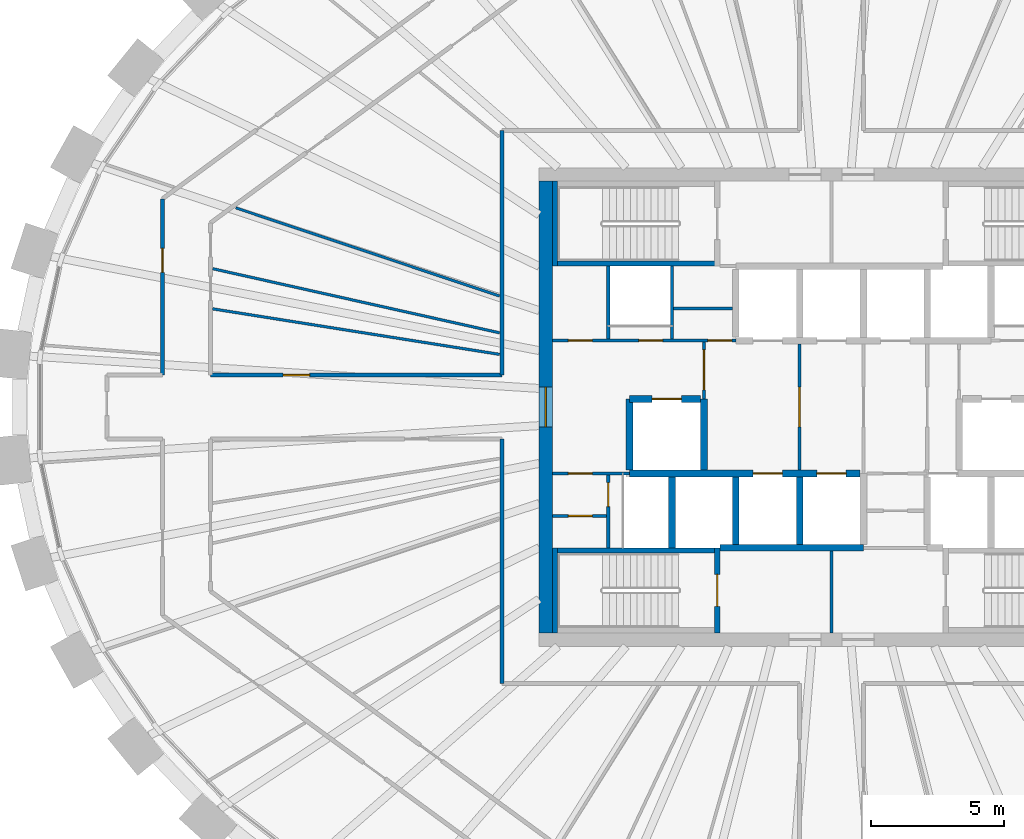
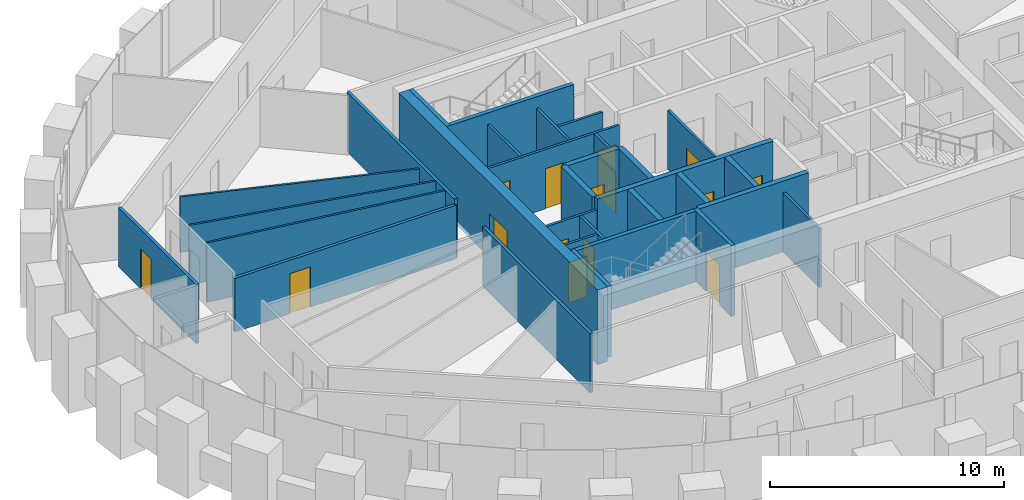
# One storey, part 7 of 12: 31 walls, 15 doors, 15 openings.
"""IFC4 building model written with IfcOpenShell, lengths in metres."""

from ifc_helpers import new_model, si_unit, direction, frame, frame_2d, origin, place, context, subcontext, project, spatial, rectangle, extrude, source, transform, mapped, material, layer, layer_set, type_object, element, fill, save


model = new_model("IFC4")

# Units and contexts
model_context = context("Model", 3, precision=1e-05, world=origin(), true_north=direction((0.0, 1.0)))
body_context = subcontext(model_context, "Body", "Model", "MODEL_VIEW")
ifc_project = project(units=[si_unit("LENGTHUNIT", "METRE"), si_unit("AREAUNIT", "SQUARE_METRE"), si_unit("VOLUMEUNIT", "CUBIC_METRE"), si_unit("PLANEANGLEUNIT", "RADIAN"), si_unit("MASSUNIT", "GRAM", prefix="KILO")], contexts=[model_context])

# Site, building, storey
site_placement = place(None, origin())
site = spatial("IfcSite", under=ifc_project, at=site_placement, CompositionType="ELEMENT")
building_placement = place(site_placement, origin())
building = spatial("IfcBuilding", under=site, at=building_placement, Name="Embergate Tower", CompositionType="ELEMENT")
storey_placement = place(building_placement, frame((0.0, 0.0, 293.5)))
storey = spatial("IfcBuildingStorey", under=building, at=storey_placement, Name="L68", CompositionType="ELEMENT", Elevation=293.5)

# Wall, opening, door
ifc_material_1 = material(Name="Concrete C50", Category="concrete")
ifc_layer_1 = layer(ifc_material_1, 0.5)
ifc_layer_set_1 = layer_set([ifc_layer_1], Name="Concrete C50")
wall_type_1 = type_object("IfcWallType", Name="Core outer wall C50 500", PredefinedType="SHEAR", material=ifc_layer_set_1)
shared_shape_1 = source(origin(), body_context, "Body", "SweptSolid", [
    extrude(rectangle(XDim=17.0, YDim=0.5, at=frame_2d((8.5, 0.0))), origin(), (0.0, 0.0, 1.0), 3.89990234375),
])
wall_1_placement = place(storey_placement, frame((-10.75, -8.5, -0.199951171875), z_axis=(0.0, 0.0, 1.0), x_axis=(0.0, 1.0, 0.0)))
wall_1 = element("IfcWall", 1, at=wall_1_placement, inside=storey, type_object=wall_type_1, Name="CW-L68-W", PredefinedType="SHEAR", context=body_context, shape_type="MappedRepresentation", body=[
    mapped(shared_shape_1, transform((0.0, 0.0, 0.0))),
])
shared_shape_2 = source(origin(), body_context, "Body", "SweptSolid", [
    extrude(rectangle(XDim=1.5, YDim=2.10009765625, at=frame_2d((0.75, 1.050048828125))), frame((0.0, 0.260009765625, 0.0), z_axis=(0.0, -1.0, 0.0), x_axis=(1.0, 0.0, 0.0)), (0.0, 0.0, 1.0), 0.52001953125),
])
opening_1_placement = place(wall_1_placement, frame((7.75, 0.0, 0.199951171875)))
opening_1 = element("IfcOpeningElement", 2, at=opening_1_placement, cuts=wall_1, Name="Opening IF-3", PredefinedType="OPENING", context=body_context, shape_type="MappedRepresentation", body=[
    mapped(shared_shape_2, transform((0.0, 0.0, 0.0))),
])
ifc_material_2 = material(Name="Lobby fire door pair 1500")
door_type_1 = type_object("IfcDoorType", Name="Lobby fire door pair 1500", OperationType="DOUBLE_DOOR_SINGLE_SWING", PredefinedType="DOOR", material=ifc_material_2)
shared_shape_3 = source(origin(), body_context, "Body", "SweptSolid", [
    extrude(rectangle(XDim=1.5, YDim=2.10009765625, at=frame_2d((0.75, 1.050048828125))), frame((0.0, 0.02490234375, 0.0), z_axis=(0.0, -1.0, 0.0), x_axis=(1.0, 0.0, 0.0)), (0.0, 0.0, 1.0), 0.050048828125),
])
door_1_placement = place(opening_1_placement, origin())
door_1 = element("IfcDoor", 3, at=door_1_placement, inside=storey, type_object=door_type_1, Name="IF-3 door", OperationType="DOUBLE_DOOR_SINGLE_SWING", OverallHeight=2.10009765625, OverallWidth=1.5, PredefinedType="DOOR", context=body_context, shape_type="MappedRepresentation", body=[
    mapped(shared_shape_3, transform((0.0, 0.0, 0.0))),
])
fill(opening_1, door_1)

# Walls
ifc_layer_2 = layer(ifc_material_1, 0.25)
ifc_layer_set_2 = layer_set([ifc_layer_2], Name="Concrete C50")
wall_type_2 = type_object("IfcWallType", Name="Hoistway wall reinforced concrete 250", PredefinedType="SHEAR", material=ifc_layer_set_2)
shared_shape_4 = source(origin(), body_context, "Body", "SweptSolid", [
    extrude(rectangle(XDim=2.675048828125, YDim=0.25, at=frame_2d((1.33740234375, 0.0))), origin(), (0.0, 0.0, 1.0), 3.699951171875),
])
for number, where, z_axis, x_axis, name in (
    (4, (-6.0, -5.300048828125, 0.0), (0.0, 0.0, 1.0), (0.0, 1.0, 0.0), "HW-1 wall"),
    (5, (-4.800048828125, 0.300048828125, 0.0), (0.0, 0.0, 1.0), (0.0, -1.0, 0.0), "HW-1 wall"),
):
    element("IfcWall", number, at=place(storey_placement, frame(where, z_axis=z_axis, x_axis=x_axis)), inside=storey, type_object=wall_type_2, Name=name, PredefinedType="SHEAR", context=body_context, shape_type="MappedRepresentation", body=[
        mapped(shared_shape_4, transform((0.0, 0.0, 0.0))),
    ])

# Wall, opening, door
wall_2_placement = place(storey_placement, frame((-4.925048828125, 0.300048828125, 0.0), z_axis=(0.0, 0.0, 1.0), x_axis=(-1.0, 0.0, 0.0)))
wall_2 = element("IfcWall", 6, at=wall_2_placement, inside=storey, type_object=wall_type_2, Name="HW-1 wall", PredefinedType="SHEAR", context=body_context, shape_type="MappedRepresentation", body=[
    mapped(shared_shape_4, transform((0.0, 0.0, 0.0))),
])
shared_shape_5 = source(origin(), body_context, "Body", "SweptSolid", [
    extrude(rectangle(XDim=1.10009765625, YDim=2.10009765625, at=frame_2d((0.550048828125, 1.050048828125))), frame((0.0, 0.135009765625, 0.0), z_axis=(0.0, -1.0, 0.0), x_axis=(1.0, 0.0, 0.0)), (0.0, 0.0, 1.0), 0.27001953125),
])
opening_2_placement = place(wall_2_placement, frame((0.72509765625, 0.0, 0.0)))
opening_2 = element("IfcOpeningElement", 7, at=opening_2_placement, cuts=wall_2, Name="Opening LD", PredefinedType="OPENING", context=body_context, shape_type="MappedRepresentation", body=[
    mapped(shared_shape_5, transform((0.0, 0.0, 0.0))),
])
ifc_material_3 = material(Name="Landing door sliding 1100")
door_type_2 = type_object("IfcDoorType", Name="Landing door sliding 1100", OperationType="SLIDING_TO_LEFT", PredefinedType="DOOR", material=ifc_material_3)
shared_shape_6 = source(origin(), body_context, "Body", "SweptSolid", [
    extrude(rectangle(XDim=1.10009765625, YDim=2.10009765625, at=frame_2d((0.550048828125, 1.050048828125))), frame((0.0, 0.02490234375, 0.0), z_axis=(0.0, -1.0, 0.0), x_axis=(1.0, 0.0, 0.0)), (0.0, 0.0, 1.0), 0.050048828125),
])
door_2_placement = place(opening_2_placement, origin())
door_2 = element("IfcDoor", 8, at=door_2_placement, inside=storey, type_object=door_type_2, Name="LD door", OperationType="SLIDING_TO_LEFT", OverallHeight=2.10009765625, OverallWidth=1.10009765625, PredefinedType="DOOR", context=body_context, shape_type="MappedRepresentation", body=[
    mapped(shared_shape_6, transform((0.0, 0.0, 0.0))),
])
fill(opening_2, door_2)

# Walls
wall_3_placement = place(storey_placement, frame((-7.60009765625, 0.300048828125, 0.0), z_axis=(0.0, 0.0, 1.0), x_axis=(0.0, -1.0, 0.0)))
element("IfcWall", 9, at=wall_3_placement, inside=storey, type_object=wall_type_2, Name="HW-1 wall", PredefinedType="SHEAR", context=body_context, shape_type="MappedRepresentation", body=[
    mapped(shared_shape_4, transform((0.0, 0.0, 0.0))),
])
ifc_layer_3 = layer(ifc_material_1, 0.199951171875)
ifc_layer_set_3 = layer_set([ifc_layer_3], Name="Concrete C50")
wall_type_3 = type_object("IfcWallType", Name="Stair enclosure wall reinforced concrete 250", PredefinedType="SHEAR", material=ifc_layer_set_3)
shared_shape_7 = source(origin(), body_context, "Body", "SweptSolid", [
    extrude(rectangle(XDim=6.300048828125, YDim=0.199951171875, at=frame_2d((3.14990234375, 0.0))), origin(), (0.0, 0.0, 1.0), 3.699951171875),
])
wall_4_placement = place(storey_placement, frame((-10.5, -5.39990234375, 0.0), z_axis=(0.0, 0.0, 1.0), x_axis=(1.0, 0.0, 0.0)))
element("IfcWall", 10, at=wall_4_placement, inside=storey, type_object=wall_type_3, Name="SE-1 wall", PredefinedType="SHEAR", context=body_context, shape_type="MappedRepresentation", body=[
    mapped(shared_shape_7, transform((0.0, 0.0, 0.0))),
])
ifc_material_4 = material(Name="Core partition blockwork 120")
ifc_layer_4 = layer(ifc_material_4, 0.1201171875)
ifc_layer_set_4 = layer_set([ifc_layer_4], Name="Core partition blockwork 120")
wall_type_4 = type_object("IfcWallType", Name="Core partition blockwork 120", PredefinedType="PARTITIONING", material=ifc_layer_set_4)
shared_shape_8 = source(origin(), body_context, "Body", "SweptSolid", [
    extrude(rectangle(XDim=2.739990234375, YDim=0.1201171875, at=frame_2d((1.3701171875, 0.0))), origin(), (0.0, 0.0, 1.0), 3.10009765625),
])
wall_5_placement = place(storey_placement, frame((-8.39990234375, 5.300048828125, 0.0), z_axis=(0.0, 0.0, 1.0), x_axis=(0.0, -1.0, 0.0)))
element("IfcWall", 11, at=wall_5_placement, inside=storey, type_object=wall_type_4, Name="IP-3 wall", PredefinedType="PARTITIONING", context=body_context, shape_type="MappedRepresentation", body=[
    mapped(shared_shape_8, transform((0.0, 0.0, 0.0))),
])

# Wall, opening, door
wall_6_placement = place(storey_placement, frame((-8.39990234375, -2.56005859375, 0.0), z_axis=(0.0, 0.0, 1.0), x_axis=(0.0, -1.0, 0.0)))
wall_6 = element("IfcWall", 12, at=wall_6_placement, inside=storey, type_object=wall_type_4, Name="IP-3 wall", PredefinedType="PARTITIONING", context=body_context, shape_type="MappedRepresentation", body=[
    mapped(shared_shape_8, transform((0.0, 0.0, 0.0))),
])
shared_shape_9 = source(origin(), body_context, "Body", "SweptSolid", [
    extrude(rectangle(XDim=0.89990234375, YDim=2.10009765625, at=frame_2d((0.449951171875, 1.050048828125))), frame((0.0, 0.070068359375, 0.0), z_axis=(0.0, -1.0, 0.0), x_axis=(1.0, 0.0, 0.0)), (0.0, 0.0, 1.0), 0.14013671875),
])
opening_3_placement = place(wall_6_placement, frame((0.2880859375, 0.0, 0.0)))
opening_3 = element("IfcOpeningElement", 13, at=opening_3_placement, cuts=wall_6, Name="Opening ID-1", PredefinedType="OPENING", context=body_context, shape_type="MappedRepresentation", body=[
    mapped(shared_shape_9, transform((0.0, 0.0, 0.0))),
])
ifc_material_5 = material(Name="Interior door 900")
door_type_3 = type_object("IfcDoorType", Name="Interior door 900", OperationType="SINGLE_SWING_LEFT", PredefinedType="DOOR", material=ifc_material_5)
shared_shape_10 = source(origin(), body_context, "Body", "SweptSolid", [
    extrude(rectangle(XDim=0.89990234375, YDim=2.10009765625, at=frame_2d((0.449951171875, 1.050048828125))), frame((0.0, 0.02490234375, 0.0), z_axis=(0.0, -1.0, 0.0), x_axis=(1.0, 0.0, 0.0)), (0.0, 0.0, 1.0), 0.050048828125),
])
door_3_placement = place(opening_3_placement, origin())
door_3 = element("IfcDoor", 14, at=door_3_placement, inside=storey, type_object=door_type_3, Name="ID-1 door", OperationType="SINGLE_SWING_RIGHT", OverallHeight=2.10009765625, OverallWidth=0.89990234375, PredefinedType="DOOR", context=body_context, shape_type="MappedRepresentation", body=[
    mapped(shared_shape_10, transform((0.0, 0.0, 0.0))),
])
fill(opening_3, door_3)

# Walls
shared_shape_11 = source(origin(), body_context, "Body", "SweptSolid", [
    extrude(rectangle(XDim=2.550048828125, YDim=0.25, at=frame_2d((1.27490234375, 0.0))), origin(), (0.0, 0.0, 1.0), 3.699951171875),
])
for number, where, z_axis, x_axis, name in (
    (15, (-3.60009765625, -5.175048828125, 0.0), (0.0, 0.0, 1.0), (0.0, 1.0, 0.0), "HW-1 wall"),
    (16, (-1.199951171875, -5.175048828125, 0.0), (0.0, 0.0, 1.0), (0.0, 1.0, 0.0), "HW-1 wall"),
):
    element("IfcWall", number, at=place(storey_placement, frame(where, z_axis=z_axis, x_axis=x_axis)), inside=storey, type_object=wall_type_2, Name=name, PredefinedType="SHEAR", context=body_context, shape_type="MappedRepresentation", body=[
        mapped(shared_shape_11, transform((0.0, 0.0, 0.0))),
    ])

# Wall, opening, door
shared_shape_12 = source(origin(), body_context, "Body", "SweptSolid", [
    extrude(rectangle(XDim=4.75, YDim=0.1201171875, at=frame_2d((2.375, 0.0))), origin(), (0.0, 0.0, 1.0), 3.10009765625),
])
wall_7_placement = place(storey_placement, frame((-1.199951171875, -2.375, 0.0), z_axis=(0.0, 0.0, 1.0), x_axis=(0.0, 1.0, 0.0)))
wall_7 = element("IfcWall", 17, at=wall_7_placement, inside=storey, type_object=wall_type_4, Name="IP-3 wall", PredefinedType="PARTITIONING", context=body_context, shape_type="MappedRepresentation", body=[
    mapped(shared_shape_12, transform((0.0, 0.0, 0.0))),
])
shared_shape_13 = source(origin(), body_context, "Body", "SweptSolid", [
    extrude(rectangle(XDim=1.5, YDim=2.10009765625, at=frame_2d((0.75, 1.050048828125))), frame((0.0, 0.070068359375, 0.0), z_axis=(0.0, -1.0, 0.0), x_axis=(1.0, 0.0, 0.0)), (0.0, 0.0, 1.0), 0.14013671875),
])
opening_4_placement = place(wall_7_placement, frame((1.625, 0.0, 0.0)))
opening_4 = element("IfcOpeningElement", 18, at=opening_4_placement, cuts=wall_7, Name="Opening IF-3", PredefinedType="OPENING", context=body_context, shape_type="MappedRepresentation", body=[
    mapped(shared_shape_13, transform((0.0, 0.0, 0.0))),
])
door_4_placement = place(opening_4_placement, origin())
door_4 = element("IfcDoor", 19, at=door_4_placement, inside=storey, type_object=door_type_1, Name="IF-3 door", OperationType="DOUBLE_DOOR_SINGLE_SWING", OverallHeight=2.10009765625, OverallWidth=1.5, PredefinedType="DOOR", context=body_context, shape_type="MappedRepresentation", body=[
    mapped(shared_shape_3, transform((0.0, 0.0, 0.0))),
])
fill(opening_4, door_4)

shared_shape_14 = source(origin(), body_context, "Body", "SweptSolid", [
    extrude(rectangle(XDim=3.199951171875, YDim=0.199951171875, at=frame_2d((1.60009765625, 0.0))), origin(), (0.0, 0.0, 1.0), 3.699951171875),
])
wall_8_placement = place(storey_placement, frame((-4.300048828125, -8.5, 0.0), z_axis=(0.0, 0.0, 1.0), x_axis=(0.0, 1.0, 0.0)))
wall_8 = element("IfcWall", 20, at=wall_8_placement, inside=storey, type_object=wall_type_3, Name="SE-1 wall", PredefinedType="SHEAR", context=body_context, shape_type="MappedRepresentation", body=[
    mapped(shared_shape_14, transform((0.0, 0.0, 0.0))),
])
shared_shape_15 = source(origin(), body_context, "Body", "SweptSolid", [
    extrude(rectangle(XDim=1.199951171875, YDim=2.10009765625, at=frame_2d((0.60009765625, 1.050048828125))), frame((0.0, 0.10986328125, 0.0), z_axis=(0.0, -1.0, 0.0), x_axis=(1.0, 0.0, 0.0)), (0.0, 0.0, 1.0), 0.219970703125),
])
opening_5_placement = place(wall_8_placement, frame((1.0, 0.0, 0.0)))
opening_5 = element("IfcOpeningElement", 21, at=opening_5_placement, cuts=wall_8, Name="Opening IF-2", PredefinedType="OPENING", context=body_context, shape_type="MappedRepresentation", body=[
    mapped(shared_shape_15, transform((0.0, 0.0, 0.0))),
])
ifc_material_6 = material(Name="Stair enclosure door 1200")
door_type_4 = type_object("IfcDoorType", Name="Stair enclosure door 1200", OperationType="SINGLE_SWING_LEFT", PredefinedType="DOOR", material=ifc_material_6)
shared_shape_16 = source(origin(), body_context, "Body", "SweptSolid", [
    extrude(rectangle(XDim=1.199951171875, YDim=2.10009765625, at=frame_2d((0.60009765625, 1.050048828125))), frame((0.0, 0.02490234375, 0.0), z_axis=(0.0, -1.0, 0.0), x_axis=(1.0, 0.0, 0.0)), (0.0, 0.0, 1.0), 0.050048828125),
])
door_5_placement = place(opening_5_placement, origin())
door_5 = element("IfcDoor", 22, at=door_5_placement, inside=storey, type_object=door_type_4, Name="IF-2 door", OperationType="SINGLE_SWING_RIGHT", OverallHeight=2.10009765625, OverallWidth=1.199951171875, PredefinedType="DOOR", context=body_context, shape_type="MappedRepresentation", body=[
    mapped(shared_shape_16, transform((0.0, 0.0, 0.0))),
])
fill(opening_5, door_5)

# Walls
shared_shape_17 = source(origin(), body_context, "Body", "SweptSolid", [
    extrude(rectangle(XDim=5.39990234375, YDim=0.25, at=frame_2d((2.699951171875, 0.0))), origin(), (0.0, 0.0, 1.0), 3.699951171875),
])
wall_9_placement = place(storey_placement, frame((-4.199951171875, -5.300048828125, 0.0), z_axis=(0.0, 0.0, 1.0), x_axis=(1.0, 0.0, 0.0)))
element("IfcWall", 23, at=wall_9_placement, inside=storey, type_object=wall_type_2, Name="HW-1 wall", PredefinedType="SHEAR", context=body_context, shape_type="MappedRepresentation", body=[
    mapped(shared_shape_17, transform((0.0, 0.0, 0.0))),
])
shared_shape_18 = source(origin(), body_context, "Body", "SweptSolid", [
    extrude(rectangle(XDim=6.298095703125, YDim=0.199951171875, at=frame_2d((3.14892578125, 0.0))), origin(), (0.0, 0.0, 1.0), 3.699951171875),
])
wall_10_placement = place(storey_placement, frame((-4.201904296875, 5.39990234375, 0.0), z_axis=(0.0, 0.0, 1.0), x_axis=(-1.0, 0.0, 0.0)))
element("IfcWall", 24, at=wall_10_placement, inside=storey, type_object=wall_type_3, Name="SE-1 wall", PredefinedType="SHEAR", context=body_context, shape_type="MappedRepresentation", body=[
    mapped(shared_shape_18, transform((0.0, 0.0, 0.0))),
])
shared_shape_19 = source(origin(), body_context, "Body", "SweptSolid", [
    extrude(rectangle(XDim=3.197998046875, YDim=0.199951171875, at=frame_2d((1.59912109375, 0.0))), origin(), (0.0, 0.0, 1.0), 3.699951171875),
])
for number, where, z_axis, x_axis, name in (
    (25, (-10.39990234375, 8.5, 0.0), (0.0, 0.0, 1.0), (0.0, -1.0, 0.0), "SE-1 wall"),
    (26, (-10.39990234375, -5.302001953125, 0.0), (0.0, 0.0, 1.0), (0.0, -1.0, 0.0), "SE-1 wall"),
):
    element("IfcWall", number, at=place(storey_placement, frame(where, z_axis=z_axis, x_axis=x_axis)), inside=storey, type_object=wall_type_3, Name=name, PredefinedType="SHEAR", context=body_context, shape_type="MappedRepresentation", body=[
        mapped(shared_shape_19, transform((0.0, 0.0, 0.0))),
    ])
ifc_material_7 = material(Name="Corridor wall dry-lined 150")
ifc_layer_5 = layer(ifc_material_7, 0.14990234375)
ifc_layer_set_5 = layer_set([ifc_layer_5], Name="Corridor wall dry-lined 150")
wall_type_5 = type_object("IfcWallType", Name="Corridor wall dry-lined 150", PredefinedType="PARTITIONING", material=ifc_layer_set_5)
shared_shape_20 = source(origin(), body_context, "Body", "SweptSolid", [
    extrude(rectangle(XDim=9.199951171875, YDim=0.14990234375, at=frame_2d((4.60009765625, 0.0))), origin(), (0.0, 0.0, 1.0), 3.10009765625),
])
for number, where, z_axis, x_axis, name in (
    (27, (-12.39990234375, -1.199951171875, 0.0), (0.0, 0.0, 1.0), (0.0, -1.0, 0.0), "IP-2 wall"),
    (28, (-12.39990234375, 10.39990234375, 0.0), (0.0, 0.0, 1.0), (0.0, -1.0, 0.0), "IP-2 wall"),
):
    element("IfcWall", number, at=place(storey_placement, frame(where, z_axis=z_axis, x_axis=x_axis)), inside=storey, type_object=wall_type_5, Name=name, PredefinedType="PARTITIONING", context=body_context, shape_type="MappedRepresentation", body=[
        mapped(shared_shape_20, transform((0.0, 0.0, 0.0))),
    ])
shared_shape_21 = source(origin(), body_context, "Body", "SweptSolid", [
    extrude(rectangle(XDim=2.738037109375, YDim=0.1201171875, at=frame_2d((1.369140625, 0.0))), origin(), (0.0, 0.0, 1.0), 3.10009765625),
])
wall_11_placement = place(storey_placement, frame((-6.0, 2.56005859375, 0.0), z_axis=(0.0, 0.0, 1.0), x_axis=(0.0, 1.0, 0.0)))
element("IfcWall", 29, at=wall_11_placement, inside=storey, type_object=wall_type_4, Name="IP-3 wall", PredefinedType="PARTITIONING", context=body_context, shape_type="MappedRepresentation", body=[
    mapped(shared_shape_21, transform((0.0, 0.0, 0.0))),
])

# Wall, opening, door
shared_shape_22 = source(origin(), body_context, "Body", "SweptSolid", [
    extrude(rectangle(XDim=2.89990234375, YDim=0.1201171875, at=frame_2d((1.449951171875, 0.0))), origin(), (0.0, 0.0, 1.0), 3.10009765625),
])
wall_12_placement = place(storey_placement, frame((-7.60009765625, -2.5, 0.0), z_axis=(0.0, 0.0, 1.0), x_axis=(-1.0, 0.0, 0.0)))
wall_12 = element("IfcWall", 30, at=wall_12_placement, inside=storey, type_object=wall_type_4, Name="IP-3 wall", PredefinedType="PARTITIONING", context=body_context, shape_type="MappedRepresentation", body=[
    mapped(shared_shape_22, transform((0.0, 0.0, 0.0))),
])
opening_6_placement = place(wall_12_placement, frame((1.39990234375, 0.0, 0.0)))
opening_6 = element("IfcOpeningElement", 31, at=opening_6_placement, cuts=wall_12, Name="Opening ID-1", PredefinedType="OPENING", context=body_context, shape_type="MappedRepresentation", body=[
    mapped(shared_shape_9, transform((0.0, 0.0, 0.0))),
])
door_6_placement = place(opening_6_placement, origin())
door_6 = element("IfcDoor", 32, at=door_6_placement, inside=storey, type_object=door_type_3, Name="ID-1 door", OperationType="SINGLE_SWING_LEFT", OverallHeight=2.10009765625, OverallWidth=0.89990234375, PredefinedType="DOOR", context=body_context, shape_type="MappedRepresentation", body=[
    mapped(shared_shape_10, transform((0.0, 0.0, 0.0))),
])
fill(opening_6, door_6)

shared_shape_23 = source(origin(), body_context, "Body", "SweptSolid", [
    extrude(rectangle(XDim=2.139892578125, YDim=0.1201171875, at=frame_2d((1.06982421875, 0.0))), origin(), (0.0, 0.0, 1.0), 3.10009765625),
])
wall_13_placement = place(storey_placement, frame((-4.800048828125, 2.43994140625, 0.0), z_axis=(0.0, 0.0, 1.0), x_axis=(0.0, -1.0, 0.0)))
wall_13 = element("IfcWall", 33, at=wall_13_placement, inside=storey, type_object=wall_type_4, Name="IP-3 wall", PredefinedType="PARTITIONING", context=body_context, shape_type="MappedRepresentation", body=[
    mapped(shared_shape_23, transform((0.0, 0.0, 0.0))),
])
opening_7_placement = place(wall_13_placement, frame((0.2900390625, 0.0, 0.0)))
opening_7 = element("IfcOpeningElement", 34, at=opening_7_placement, cuts=wall_13, Name="Opening IF-3", PredefinedType="OPENING", context=body_context, shape_type="MappedRepresentation", body=[
    mapped(shared_shape_13, transform((0.0, 0.0, 0.0))),
])
door_7_placement = place(opening_7_placement, origin())
door_7 = element("IfcDoor", 35, at=door_7_placement, inside=storey, type_object=door_type_1, Name="IF-3 door", OperationType="DOUBLE_DOOR_SINGLE_SWING", OverallHeight=2.10009765625, OverallWidth=1.5, PredefinedType="DOOR", context=body_context, shape_type="MappedRepresentation", body=[
    mapped(shared_shape_3, transform((0.0, 0.0, 0.0))),
])
fill(opening_7, door_7)

# Wall
shared_shape_24 = source(origin(), body_context, "Body", "SweptSolid", [
    extrude(rectangle(XDim=3.074951171875, YDim=0.1201171875, at=frame_2d((1.53759765625, 0.0))), origin(), (0.0, 0.0, 1.0), 3.10009765625),
])
wall_14_placement = place(storey_placement, frame((0.0, -8.5, 0.0), z_axis=(0.0, 0.0, 1.0), x_axis=(0.0, 1.0, 0.0)))
element("IfcWall", 36, at=wall_14_placement, inside=storey, type_object=wall_type_4, Name="IP-3 wall", PredefinedType="PARTITIONING", context=body_context, shape_type="MappedRepresentation", body=[
    mapped(shared_shape_24, transform((0.0, 0.0, 0.0))),
])

# Wall, openings, doors
shared_shape_25 = source(origin(), body_context, "Body", "SweptSolid", [
    extrude(rectangle(XDim=6.89990234375, YDim=0.1201171875, at=frame_2d((3.449951171875, 0.0))), origin(), (0.0, 0.0, 1.0), 3.10009765625),
])
wall_15_placement = place(storey_placement, frame((-10.5, 2.5, 0.0), z_axis=(0.0, 0.0, 1.0), x_axis=(1.0, 0.0, 0.0)))
wall_15 = element("IfcWall", 37, at=wall_15_placement, inside=storey, type_object=wall_type_4, Name="IP-3 wall", PredefinedType="PARTITIONING", context=body_context, shape_type="MappedRepresentation", body=[
    mapped(shared_shape_25, transform((0.0, 0.0, 0.0))),
])
opening_8_placement = place(wall_15_placement, frame((3.25, 0.0, 0.0)))
opening_8 = element("IfcOpeningElement", 38, at=opening_8_placement, cuts=wall_15, Name="Opening ID-1", PredefinedType="OPENING", context=body_context, shape_type="MappedRepresentation", body=[
    mapped(shared_shape_9, transform((0.0, 0.0, 0.0))),
])
opening_9_placement = place(wall_15_placement, frame((5.85009765625, 0.0, 0.0)))
opening_9 = element("IfcOpeningElement", 39, at=opening_9_placement, cuts=wall_15, Name="Opening ID-1", PredefinedType="OPENING", context=body_context, shape_type="MappedRepresentation", body=[
    mapped(shared_shape_9, transform((0.0, 0.0, 0.0))),
])
opening_10_placement = place(wall_15_placement, frame((0.60009765625, 0.0, 0.0)))
opening_10 = element("IfcOpeningElement", 40, at=opening_10_placement, cuts=wall_15, Name="Opening ID-1", PredefinedType="OPENING", context=body_context, shape_type="MappedRepresentation", body=[
    mapped(shared_shape_9, transform((0.0, 0.0, 0.0))),
])
door_8_placement = place(opening_8_placement, origin())
door_8 = element("IfcDoor", 41, at=door_8_placement, inside=storey, type_object=door_type_3, Name="ID-1 door", OperationType="SINGLE_SWING_LEFT", OverallHeight=2.10009765625, OverallWidth=0.89990234375, PredefinedType="DOOR", context=body_context, shape_type="MappedRepresentation", body=[
    mapped(shared_shape_10, transform((0.0, 0.0, 0.0))),
])
fill(opening_8, door_8)
door_9_placement = place(opening_9_placement, origin())
door_9 = element("IfcDoor", 42, at=door_9_placement, inside=storey, type_object=door_type_3, Name="ID-1 door", OperationType="SINGLE_SWING_RIGHT", OverallHeight=2.10009765625, OverallWidth=0.89990234375, PredefinedType="DOOR", context=body_context, shape_type="MappedRepresentation", body=[
    mapped(shared_shape_10, transform((0.0, 0.0, 0.0))),
])
fill(opening_9, door_9)
door_10_placement = place(opening_10_placement, origin())
door_10 = element("IfcDoor", 43, at=door_10_placement, inside=storey, type_object=door_type_3, Name="ID-1 door", OperationType="SINGLE_SWING_LEFT", OverallHeight=2.10009765625, OverallWidth=0.89990234375, PredefinedType="DOOR", context=body_context, shape_type="MappedRepresentation", body=[
    mapped(shared_shape_10, transform((0.0, 0.0, 0.0))),
])
fill(opening_10, door_10)

# Wall, opening, door
shared_shape_26 = source(origin(), body_context, "Body", "SweptSolid", [
    extrude(rectangle(XDim=2.0400390625, YDim=0.1201171875, at=frame_2d((1.02001953125, 0.0))), origin(), (0.0, 0.0, 1.0), 3.10009765625),
])
wall_16_placement = place(storey_placement, frame((-8.4599609375, -4.095947265625, 0.0), z_axis=(0.0, 0.0, 1.0), x_axis=(-1.0, 0.0, 0.0)))
wall_16 = element("IfcWall", 44, at=wall_16_placement, inside=storey, type_object=wall_type_4, Name="IP-3 wall", PredefinedType="PARTITIONING", context=body_context, shape_type="MappedRepresentation", body=[
    mapped(shared_shape_26, transform((0.0, 0.0, 0.0))),
])
opening_11_placement = place(wall_16_placement, frame((0.5400390625, 0.0, 0.0)))
opening_11 = element("IfcOpeningElement", 45, at=opening_11_placement, cuts=wall_16, Name="Opening ID-1", PredefinedType="OPENING", context=body_context, shape_type="MappedRepresentation", body=[
    mapped(shared_shape_9, transform((0.0, 0.0, 0.0))),
])
door_11_placement = place(opening_11_placement, origin())
door_11 = element("IfcDoor", 46, at=door_11_placement, inside=storey, type_object=door_type_3, Name="ID-1 door", OperationType="SINGLE_SWING_LEFT", OverallHeight=2.10009765625, OverallWidth=0.89990234375, PredefinedType="DOOR", context=body_context, shape_type="MappedRepresentation", body=[
    mapped(shared_shape_10, transform((0.0, 0.0, 0.0))),
])
fill(opening_11, door_11)

# Wall
shared_shape_27 = source(origin(), body_context, "Body", "SweptSolid", [
    extrude(rectangle(XDim=2.2109375, YDim=0.1201171875, at=frame_2d((1.10546875, 0.0))), origin(), (0.0, 0.0, 1.0), 3.10009765625),
])
wall_17_placement = place(storey_placement, frame((-3.72705078125, 3.7041015625, 0.0), z_axis=(0.0, 0.0, 1.0), x_axis=(-1.0, 0.0, 0.0)))
element("IfcWall", 47, at=wall_17_placement, inside=storey, type_object=wall_type_4, Name="IP-3 wall", PredefinedType="PARTITIONING", context=body_context, shape_type="MappedRepresentation", body=[
    mapped(shared_shape_27, transform((0.0, 0.0, 0.0))),
])

# Wall, openings, doors
shared_shape_28 = source(origin(), body_context, "Body", "SweptSolid", [
    extrude(rectangle(XDim=8.675048828125, YDim=0.25, at=frame_2d((4.33740234375, 0.0))), origin(), (0.0, 0.0, 1.0), 3.699951171875),
])
wall_18_placement = place(storey_placement, frame((1.074951171875, -2.5, 0.0), z_axis=(0.0, 0.0, 1.0), x_axis=(-1.0, 0.0, 0.0)))
wall_18 = element("IfcWall", 48, at=wall_18_placement, inside=storey, type_object=wall_type_2, Name="HW-1 wall", PredefinedType="SHEAR", context=body_context, shape_type="MappedRepresentation", body=[
    mapped(shared_shape_28, transform((0.0, 0.0, 0.0))),
])
opening_12_placement = place(wall_18_placement, frame((2.925048828125, 0.0, 0.0)))
opening_12 = element("IfcOpeningElement", 49, at=opening_12_placement, cuts=wall_18, Name="Opening LD", PredefinedType="OPENING", context=body_context, shape_type="MappedRepresentation", body=[
    mapped(shared_shape_5, transform((0.0, 0.0, 0.0))),
])
opening_13_placement = place(wall_18_placement, frame((0.52490234375, 0.0, 0.0)))
opening_13 = element("IfcOpeningElement", 50, at=opening_13_placement, cuts=wall_18, Name="Opening LD", PredefinedType="OPENING", context=body_context, shape_type="MappedRepresentation", body=[
    mapped(shared_shape_5, transform((0.0, 0.0, 0.0))),
])
door_12_placement = place(opening_12_placement, origin())
door_12 = element("IfcDoor", 51, at=door_12_placement, inside=storey, type_object=door_type_2, Name="LD door", OperationType="SLIDING_TO_LEFT", OverallHeight=2.10009765625, OverallWidth=1.10009765625, PredefinedType="DOOR", context=body_context, shape_type="MappedRepresentation", body=[
    mapped(shared_shape_6, transform((0.0, 0.0, 0.0))),
])
fill(opening_12, door_12)
door_13_placement = place(opening_13_placement, origin())
door_13 = element("IfcDoor", 52, at=door_13_placement, inside=storey, type_object=door_type_2, Name="LD door", OperationType="SLIDING_TO_RIGHT", OverallHeight=2.10009765625, OverallWidth=1.10009765625, PredefinedType="DOOR", context=body_context, shape_type="MappedRepresentation", body=[
    mapped(shared_shape_6, transform((0.0, 0.0, 0.0))),
])
fill(opening_13, door_13)

# Wall, opening, door
shared_shape_29 = source(origin(), body_context, "Body", "SweptSolid", [
    extrude(rectangle(XDim=6.634033203125, YDim=0.14990234375, at=frame_2d((3.31689453125, 0.0))), origin(), (0.0, 0.0, 1.0), 3.10009765625),
])
wall_19_placement = place(storey_placement, frame((-25.166015625, 1.199951171875, 0.0), z_axis=(0.0, 0.0, 1.0), x_axis=(0.0, 1.0, 0.0)))
wall_19 = element("IfcWall", 53, at=wall_19_placement, inside=storey, type_object=wall_type_5, Name="IP-2 wall", PredefinedType="PARTITIONING", context=body_context, shape_type="MappedRepresentation", body=[
    mapped(shared_shape_29, transform((0.0, 0.0, 0.0))),
])
shared_shape_30 = source(origin(), body_context, "Body", "SweptSolid", [
    extrude(rectangle(XDim=0.89990234375, YDim=2.10009765625, at=frame_2d((0.449951171875, 1.050048828125))), frame((0.0, 0.0849609375, 0.0), z_axis=(0.0, -1.0, 0.0), x_axis=(1.0, 0.0, 0.0)), (0.0, 0.0, 1.0), 0.169921875),
])
opening_14_placement = place(wall_19_placement, frame((3.864990234375, 0.0, 0.0)))
opening_14 = element("IfcOpeningElement", 54, at=opening_14_placement, cuts=wall_19, Name="Opening IF-1c", PredefinedType="OPENING", context=body_context, shape_type="MappedRepresentation", body=[
    mapped(shared_shape_30, transform((0.0, 0.0, 0.0))),
])
ifc_material_8 = material(Name="Escape fire door 900")
door_type_5 = type_object("IfcDoorType", Name="Escape fire door 900", OperationType="SINGLE_SWING_LEFT", PredefinedType="DOOR", material=ifc_material_8)
door_14_placement = place(opening_14_placement, origin())
door_14 = element("IfcDoor", 55, at=door_14_placement, inside=storey, type_object=door_type_5, Name="IF-1 door", OperationType="SINGLE_SWING_RIGHT", OverallHeight=2.10009765625, OverallWidth=0.89990234375, PredefinedType="DOOR", context=body_context, shape_type="MappedRepresentation", body=[
    mapped(shared_shape_10, transform((0.0, 0.0, 0.0))),
])
fill(opening_14, door_14)

shared_shape_31 = source(origin(), body_context, "Body", "SweptSolid", [
    extrude(rectangle(XDim=10.966064453125, YDim=0.14990234375, at=frame_2d((5.48291015625, 0.0))), origin(), (0.0, 0.0, 1.0), 2.800048828125),
])
wall_20_placement = place(storey_placement, frame((-23.365966796875, 1.199951171875, 0.0), z_axis=(0.0, 0.0, 1.0), x_axis=(1.0, 0.0, 0.0)))
wall_20 = element("IfcWall", 56, at=wall_20_placement, inside=storey, type_object=wall_type_5, Name="IP-2 wall", PredefinedType="PARTITIONING", context=body_context, shape_type="MappedRepresentation", body=[
    mapped(shared_shape_31, transform((0.0, 0.0, 0.0))),
])
shared_shape_32 = source(origin(), body_context, "Body", "SweptSolid", [
    extrude(rectangle(XDim=1.0, YDim=2.10009765625, at=frame_2d((0.5, 1.050048828125))), frame((0.0, 0.0849609375, 0.0), z_axis=(0.0, -1.0, 0.0), x_axis=(1.0, 0.0, 0.0)), (0.0, 0.0, 1.0), 0.169921875),
])
opening_15_placement = place(wall_20_placement, frame((2.734619140625, 0.0, 0.0)))
opening_15 = element("IfcOpeningElement", 57, at=opening_15_placement, cuts=wall_20, Name="Opening ID-2", PredefinedType="OPENING", context=body_context, shape_type="MappedRepresentation", body=[
    mapped(shared_shape_32, transform((0.0, 0.0, 0.0))),
])
ifc_material_9 = material(Name="Interior door 1000")
door_type_6 = type_object("IfcDoorType", Name="Interior door 1000", OperationType="SINGLE_SWING_LEFT", PredefinedType="DOOR", material=ifc_material_9)
shared_shape_33 = source(origin(), body_context, "Body", "SweptSolid", [
    extrude(rectangle(XDim=1.0, YDim=2.10009765625, at=frame_2d((0.5, 1.050048828125))), frame((0.0, 0.02490234375, 0.0), z_axis=(0.0, -1.0, 0.0), x_axis=(1.0, 0.0, 0.0)), (0.0, 0.0, 1.0), 0.050048828125),
])
door_15_placement = place(opening_15_placement, origin())
door_15 = element("IfcDoor", 58, at=door_15_placement, inside=storey, type_object=door_type_6, Name="ID-2 door", OperationType="SINGLE_SWING_RIGHT", OverallHeight=2.10009765625, OverallWidth=1.0, PredefinedType="DOOR", context=body_context, shape_type="MappedRepresentation", body=[
    mapped(shared_shape_33, transform((0.0, 0.0, 0.0))),
])
fill(opening_15, door_15)

# Walls
ifc_material_10 = material(Name="Partition dry-lined 100")
ifc_layer_6 = layer(ifc_material_10, 0.10009765625)
ifc_layer_set_6 = layer_set([ifc_layer_6], Name="Partition dry-lined 100")
wall_type_6 = type_object("IfcWallType", Name="Partition dry-lined 100", PredefinedType="PARTITIONING", material=ifc_layer_set_6)
shared_shape_34 = source(origin(), body_context, "Body", "SweptSolid", [
    extrude(rectangle(XDim=10.462158203125, YDim=0.10009765625, at=frame_2d((5.23095703125, 0.0))), origin(), (0.0, 0.0, 1.0), 2.89990234375),
])
wall_21_placement = place(storey_placement, frame((-12.490966796875, 4.176025390625, 0.0), z_axis=(0.0, 0.0, 1.0), x_axis=(-0.948381839058, 0.317130710189, 0.0)))
element("IfcWall", 59, at=wall_21_placement, inside=storey, type_object=wall_type_6, Name="IP-1 wall", PredefinedType="PARTITIONING", context=body_context, shape_type="MappedRepresentation", body=[
    mapped(shared_shape_34, transform((0.0, 0.0, 0.0))),
])
shared_shape_35 = source(origin(), body_context, "Body", "SweptSolid", [
    extrude(rectangle(XDim=11.060302734375, YDim=0.10009765625, at=frame_2d((5.5302734375, 0.0))), origin(), (0.0, 0.0, 1.0), 3.10009765625),
])
wall_22_placement = place(storey_placement, frame((-12.486083984375, 2.791015625, 0.0), z_axis=(0.0, 0.0, 1.0), x_axis=(-0.97590996107, 0.218173664508, 0.0)))
element("IfcWall", 60, at=wall_22_placement, inside=storey, type_object=wall_type_6, Name="IP-1 wall", PredefinedType="PARTITIONING", context=body_context, shape_type="MappedRepresentation", body=[
    mapped(shared_shape_35, transform((0.0, 0.0, 0.0))),
])
shared_shape_36 = source(origin(), body_context, "Body", "SweptSolid", [
    extrude(rectangle(XDim=10.935302734375, YDim=0.10009765625, at=frame_2d((5.4677734375, 0.0))), origin(), (0.0, 0.0, 1.0), 3.10009765625),
])
wall_23_placement = place(storey_placement, frame((-12.48291015625, 1.97998046875, 0.0), z_axis=(0.0, 0.0, 1.0), x_axis=(-0.987638107159, 0.156751297564, 0.0)))
element("IfcWall", 61, at=wall_23_placement, inside=storey, type_object=wall_type_6, Name="IP-1 wall", PredefinedType="PARTITIONING", context=body_context, shape_type="MappedRepresentation", body=[
    mapped(shared_shape_36, transform((0.0, 0.0, 0.0))),
])

save(model, "model.ifc")
